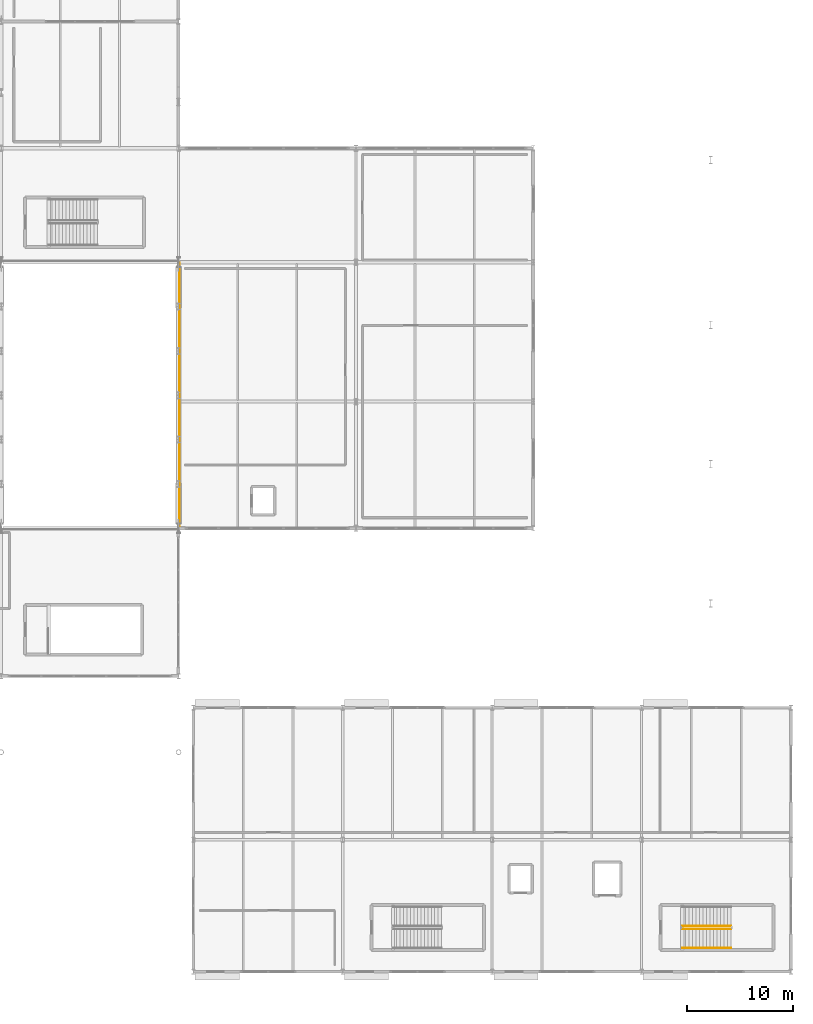
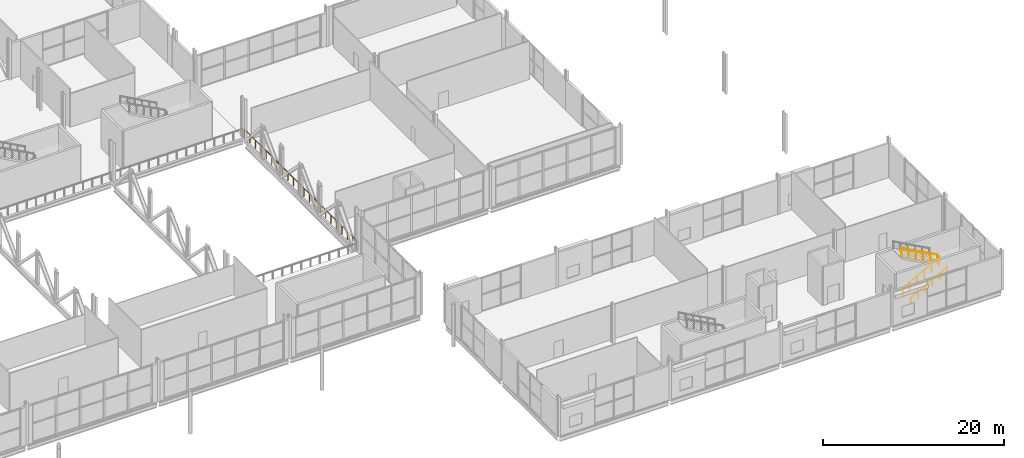
# One storey, part 81 of 84: 4 railings.
"""IFC4 building model written with IfcOpenShell, lengths in metres."""

import ifcopenshell
import ifcopenshell.guid

model = None  # the IFC model being written
_history = None  # IfcOwnerHistory: only IFC2X3 demands one
_inside = {}  # id of a spatial element -> (the spatial element, [elements in it])
_under = {}  # id of a project, library or spatial element -> (it, [spatial elements below it])
_declared = {}  # id of a project -> (the project, [libraries it declares])
_typed = {}  # id of a type object -> (the type object, [elements of that type])
_made_of = {}  # id of a material, layer set ... -> (it, [elements and type objects made of it])


def new_model(schema):
    """Start an empty IFC model of exactly this schema.

    Asked for "IFC4X3", IfcOpenShell would pick the latest addendum, in which some entities
    have other attributes; the version numbers below select the first issue.
    IFC2X3 requires an IfcOwnerHistory on every rooted entity: one is made here for all.
    """
    global model, _history
    if schema == "IFC4X3":
        model = ifcopenshell.file(schema_version=(4, 3, 0, 0))
    else:
        model = ifcopenshell.file(schema=schema)
    _inside.clear()
    _under.clear()
    _declared.clear()
    _typed.clear()
    _made_of.clear()
    _history = None
    if model.schema == "IFC2X3":
        org = make("IfcOrganization", Name="unknown")
        user = make(
            "IfcPersonAndOrganization",
            ThePerson=make("IfcPerson", FamilyName="unknown"),
            TheOrganization=org,
        )
        app = make(
            "IfcApplication",
            ApplicationDeveloper=org,
            Version="unknown",
            ApplicationFullName="unknown",
            ApplicationIdentifier="unknown",
        )
        _history = make(
            "IfcOwnerHistory",
            OwningUser=user,
            OwningApplication=app,
            ChangeAction="ADDED",
            CreationDate=0,
        )
    return model


def make(cls, **values):
    """One entity of the class cls with the attributes given. An attribute that is None is left unset."""
    return model.create_entity(
        cls, **{name: value for name, value in values.items() if value is not None}
    )


def rooted(cls, **values):
    """An entity with a GlobalId (a new one), such as an element, a storey or a relation."""
    return make(cls, GlobalId=ifcopenshell.guid.new(), OwnerHistory=_history, **values)


def si_unit(unit_type, name, prefix=None):
    """IfcSIUnit, for example si_unit("LENGTHUNIT", "METRE", prefix="MILLI")."""
    return make("IfcSIUnit", UnitType=unit_type, Prefix=prefix, Name=name)


def assignment(units):
    """IfcUnitAssignment: the units of a project."""
    return None if units is None else make("IfcUnitAssignment", Units=units)


def point(xyz):
    """IfcCartesianPoint."""
    return None if xyz is None else make("IfcCartesianPoint", Coordinates=xyz)


def direction(xyz):
    """IfcDirection."""
    return None if xyz is None else make("IfcDirection", DirectionRatios=xyz)


def frame(location, z_axis=None, x_axis=None):
    """IfcAxis2Placement3D, a coordinate frame: its origin and axes. An axis left out is left unset."""
    return make(
        "IfcAxis2Placement3D",
        Location=point(location),
        Axis=direction(z_axis),
        RefDirection=direction(x_axis),
    )


def frame_2d(location, x_axis=None):
    """IfcAxis2Placement2D, a coordinate frame in the plane: its origin and x axis."""
    return make(
        "IfcAxis2Placement2D", Location=point(location), RefDirection=direction(x_axis)
    )


def origin():
    """The frame at (0, 0, 0) with its axes left unset."""
    return frame((0.0, 0.0, 0.0))


def origin_2d():
    """The frame at (0, 0) in the plane with its x axis left unset."""
    return frame_2d((0.0, 0.0))


def place(relative_to, where):
    """IfcLocalPlacement: puts the frame where relative to a parent placement (None: the world)."""
    return make(
        "IfcLocalPlacement", PlacementRelTo=relative_to, RelativePlacement=where
    )


def context(
    kind, dimensions, precision=None, world=None, true_north=None, identifier=None
):
    """IfcGeometricRepresentationContext, for example the 3D "Model" context."""
    return make(
        "IfcGeometricRepresentationContext",
        ContextIdentifier=identifier,
        ContextType=kind,
        CoordinateSpaceDimension=dimensions,
        Precision=precision,
        WorldCoordinateSystem=world,
        TrueNorth=true_north,
    )


def subcontext(parent, identifier, kind, view, scale=None):
    """IfcGeometricRepresentationSubContext, for example "Body" below "Model"."""
    return make(
        "IfcGeometricRepresentationSubContext",
        ContextIdentifier=identifier,
        ContextType=kind,
        ParentContext=parent,
        TargetScale=scale,
        TargetView=view,
    )


def project(units=None, contexts=None):
    """IfcProject with its units and contexts."""
    return rooted(
        "IfcProject",
        Name="project",
        RepresentationContexts=contexts,
        UnitsInContext=assignment(units),
    )


def spatial(cls, under=None, at=None, **own):
    """A site, building, storey or space (cls), placed at a placement, below another one or the project."""
    s = rooted(cls, ObjectPlacement=at, **own)
    if under is not None:
        _under.setdefault(under.id(), (under, []))[1].append(s)
    return s


def profile(cls, at=None, kind="AREA", **sizes):
    """A parametric profile (cls). Its sizes go by their IFC names, for example OverallWidth=200.0."""
    return make(cls, ProfileType=kind, Position=at, **sizes)


def circle(**sizes):
    """IfcCircleProfileDef."""
    return profile("IfcCircleProfileDef", **sizes)


def extrude(swept, where, along, depth):
    """IfcExtrudedAreaSolid: the profile swept, set in the frame where, extruded along a direction by depth."""
    return make(
        "IfcExtrudedAreaSolid",
        SweptArea=swept,
        Position=where,
        ExtrudedDirection=direction(along),
        Depth=depth,
    )


def shape(context_of_items, identifier, shape_type, items):
    """IfcShapeRepresentation: the items that make up one representation, for example the "Body"."""
    return make(
        "IfcShapeRepresentation",
        ContextOfItems=context_of_items,
        RepresentationIdentifier=identifier,
        RepresentationType=shape_type,
        Items=items,
    )


def material(Name=None, Category=None):
    """IfcMaterial."""
    return make("IfcMaterial", Name=Name, Category=Category)


def made_of(thing, what):
    """Note that an element or type object is made of a material, layer set ...; save() writes the relation."""
    if what is not None:
        _made_of.setdefault(what.id(), (what, []))[1].append(thing)
    return thing


def type_object(cls, material=None, **own):
    """A type object (cls), such as IfcWallType, which elements share."""
    return made_of(rooted(cls, **own), material)


def element(
    cls,
    number,
    at=None,
    inside=None,
    cuts=None,
    type_object=None,
    material=None,
    context=None,
    identifier="Body",
    shape_type=None,
    held_by="IfcProductDefinitionShape",
    body=None,
    shapes=None,
    **own,
):
    """One element of the class cls, such as IfcWall. Its Tag is "e" and its number.

    at: its placement. inside: the storey or other place that contains it. cuts: it is an
    opening in that element (IfcRelVoidsElement). A single representation is given by context,
    identifier, shape_type and body (its items); several are given by shapes. held_by: the class
    of the entity that holds the representations. save() writes the other relations.
    """
    e = rooted(cls, Tag="e%d" % number, ObjectPlacement=at, **own)
    if body is not None:
        shapes = [shape(context, identifier, shape_type, body)]
    if shapes is not None:
        e.Representation = make(held_by, Representations=shapes)
    if inside is not None:
        _inside.setdefault(inside.id(), (inside, []))[1].append(e)
    if cuts is not None:
        rooted(
            "IfcRelVoidsElement", RelatingBuildingElement=cuts, RelatedOpeningElement=e
        )
    if type_object is not None:
        _typed.setdefault(type_object.id(), (type_object, []))[1].append(e)
    return made_of(e, material)


def aggregate(whole, parts):
    """IfcRelAggregates: a whole, such as a stair, and the parts it consists of."""
    return rooted("IfcRelAggregates", RelatingObject=whole, RelatedObjects=parts)


def save(model, path):
    """Write the relations noted so far, then the file.

    IfcRelAggregates (storeys below a building ...), IfcRelContainedInSpatialStructure (elements
    in a storey), IfcRelDefinesByType, IfcRelAssociatesMaterial and IfcRelDeclares: one each for
    every whole, place, type object, material and project.
    """
    for whole, parts in _under.values():
        aggregate(whole, parts)
    for where, things in _inside.values():
        rooted(
            "IfcRelContainedInSpatialStructure",
            RelatedElements=things,
            RelatingStructure=where,
        )
    for kind, things in _typed.values():
        rooted("IfcRelDefinesByType", RelatedObjects=things, RelatingType=kind)
    for what, things in _made_of.values():
        rooted("IfcRelAssociatesMaterial", RelatedObjects=things, RelatingMaterial=what)
    for by, libraries in _declared.values():
        rooted("IfcRelDeclares", RelatingContext=by, RelatedDefinitions=libraries)
    model.write(path)


model = new_model("IFC4")

# Units and contexts
model_context = context("Model", 3, precision=1e-05, world=origin(), true_north=direction((0.0, 1.0)))
body_context = subcontext(model_context, "Body", "Model", "MODEL_VIEW")
ifc_project = project(units=[si_unit("LENGTHUNIT", "METRE"), si_unit("AREAUNIT", "SQUARE_METRE"), si_unit("VOLUMEUNIT", "CUBIC_METRE"), si_unit("PLANEANGLEUNIT", "RADIAN"), si_unit("MASSUNIT", "GRAM", prefix="KILO")], contexts=[model_context])

# Site, building, storey
site_placement = place(None, origin())
site = spatial("IfcSite", under=ifc_project, at=site_placement, CompositionType="ELEMENT")
building_placement = place(site_placement, origin())
building = spatial("IfcBuilding", under=site, at=building_placement, Name="Kimbaza Rail Terminus", CompositionType="ELEMENT")
storey_placement = place(building_placement, frame((0.0, 0.0, 5.39990234375)))
storey = spatial("IfcBuildingStorey", under=building, at=storey_placement, Name="L01", CompositionType="ELEMENT", Elevation=5.39990234375)

# Railings
ifc_material_1 = material(Name="Stainless steel atrium balustrade", Category="steel")
railing_type_1 = type_object("IfcRailingType", Name="ARC-RL-GRDI12", PredefinedType="GUARDRAIL", material=ifc_material_1)
railing_1_placement = place(storey_placement, frame((156.10009765625, 55.050048828125, 0.0)))
element("IfcRailing", 1, at=railing_1_placement, inside=storey, type_object=railing_type_1, Name="Safety Balustrade GRD-ATR-E", PredefinedType="GUARDRAIL", context=body_context, shape_type="SweptSolid", body=[
    extrude(circle(Radius=0.02392578125, at=origin_2d()), frame((0.0, 0.0, 1.10595703125), z_axis=(0.0, 1.0, 0.0), x_axis=(-1.0, 0.0, 0.0)), (0.0, 0.0, 1.0), 25.099853515625),
    extrude(circle(Radius=0.02099609375, at=origin_2d()), origin(), (0.0, 0.0, 1.0), 1.081787109375),
    extrude(circle(Radius=0.02099609375, at=origin_2d()), frame((0.0, 1.1953125, 0.0)), (0.0, 0.0, 1.0), 1.081787109375),
    extrude(circle(Radius=0.02099609375, at=origin_2d()), frame((0.0, 2.390380859375, 0.0)), (0.0, 0.0, 1.0), 1.081787109375),
    extrude(circle(Radius=0.02099609375, at=origin_2d()), frame((0.0, 3.585693359375, 0.0)), (0.0, 0.0, 1.0), 1.081787109375),
    extrude(circle(Radius=0.02099609375, at=origin_2d()), frame((0.0, 4.781005859375, 0.0)), (0.0, 0.0, 1.0), 1.081787109375),
    extrude(circle(Radius=0.02099609375, at=origin_2d()), frame((0.0, 5.97607421875, 0.0)), (0.0, 0.0, 1.0), 1.081787109375),
    extrude(circle(Radius=0.02099609375, at=origin_2d()), frame((0.0, 7.17138671875, 0.0)), (0.0, 0.0, 1.0), 1.081787109375),
    extrude(circle(Radius=0.02099609375, at=origin_2d()), frame((0.0, 8.36669921875, 0.0)), (0.0, 0.0, 1.0), 1.081787109375),
    extrude(circle(Radius=0.02099609375, at=origin_2d()), frame((0.0, 9.561767578125, 0.0)), (0.0, 0.0, 1.0), 1.081787109375),
    extrude(circle(Radius=0.02099609375, at=origin_2d()), frame((0.0, 10.757080078125, 0.0)), (0.0, 0.0, 1.0), 1.081787109375),
    extrude(circle(Radius=0.02099609375, at=origin_2d()), frame((0.0, 11.952392578125, 0.0)), (0.0, 0.0, 1.0), 1.081787109375),
    extrude(circle(Radius=0.02099609375, at=origin_2d()), frame((0.0, 13.1474609375, 0.0)), (0.0, 0.0, 1.0), 1.081787109375),
    extrude(circle(Radius=0.02099609375, at=origin_2d()), frame((0.0, 14.3427734375, 0.0)), (0.0, 0.0, 1.0), 1.081787109375),
    extrude(circle(Radius=0.02099609375, at=origin_2d()), frame((0.0, 15.5380859375, 0.0)), (0.0, 0.0, 1.0), 1.081787109375),
    extrude(circle(Radius=0.02099609375, at=origin_2d()), frame((0.0, 16.733154296875, 0.0)), (0.0, 0.0, 1.0), 1.081787109375),
    extrude(circle(Radius=0.02099609375, at=origin_2d()), frame((0.0, 17.928466796875, 0.0)), (0.0, 0.0, 1.0), 1.081787109375),
    extrude(circle(Radius=0.02099609375, at=origin_2d()), frame((0.0, 19.123779296875, 0.0)), (0.0, 0.0, 1.0), 1.081787109375),
    extrude(circle(Radius=0.02099609375, at=origin_2d()), frame((0.0, 20.31884765625, 0.0)), (0.0, 0.0, 1.0), 1.081787109375),
    extrude(circle(Radius=0.02099609375, at=origin_2d()), frame((0.0, 21.51416015625, 0.0)), (0.0, 0.0, 1.0), 1.081787109375),
    extrude(circle(Radius=0.02099609375, at=origin_2d()), frame((0.0, 22.70947265625, 0.0)), (0.0, 0.0, 1.0), 1.081787109375),
    extrude(circle(Radius=0.02099609375, at=origin_2d()), frame((0.0, 23.904541015625, 0.0)), (0.0, 0.0, 1.0), 1.081787109375),
    extrude(circle(Radius=0.02099609375, at=origin_2d()), frame((0.0, 25.099853515625, 0.0)), (0.0, 0.0, 1.0), 1.081787109375),
])
ifc_material_2 = material(Name="Brushed stainless steel handrail", Category="steel")
railing_type_2 = type_object("IfcRailingType", Name="ARC-RL-HND92", PredefinedType="HANDRAIL", material=ifc_material_2)
railing_2_placement = place(storey_placement, frame((203.699951171875, 15.25, 0.18017578125)))
element("IfcRailing", 2, at=railing_2_placement, inside=storey, type_object=railing_type_2, Name="L01 ST-P2 stair handrail 1", PredefinedType="HANDRAIL", context=body_context, shape_type="SweptSolid", body=[
    extrude(circle(Radius=0.02392578125, at=origin_2d()), frame((0.0, 0.0, 0.8759765625), z_axis=(0.877899118682, 0.0, 0.478845630049), x_axis=(0.0, 1.0, 0.0)), (0.0, 0.0, 1.0), 5.2626953125),
    extrude(circle(Radius=0.02099609375, at=origin_2d()), origin(), (0.0, 0.0, 1.0), 0.851806640625),
    extrude(circle(Radius=0.02099609375, at=origin_2d()), frame((0.924072265625, 0.0, 0.50390625)), (0.0, 0.0, 1.0), 0.851806640625),
    extrude(circle(Radius=0.02099609375, at=origin_2d()), frame((1.84814453125, 0.0, 1.008056640625)), (0.0, 0.0, 1.0), 0.851806640625),
    extrude(circle(Radius=0.02099609375, at=origin_2d()), frame((2.77197265625, 0.0, 1.511962890625)), (0.0, 0.0, 1.0), 0.851806640625),
    extrude(circle(Radius=0.02099609375, at=origin_2d()), frame((3.696044921875, 0.0, 2.01611328125)), (0.0, 0.0, 1.0), 0.851806640625),
    extrude(circle(Radius=0.02099609375, at=origin_2d()), frame((4.6201171875, 0.0, 2.52001953125)), (0.0, 0.0, 1.0), 0.851806640625),
])
ifc_material_3 = material(Name="Painted tubular steel stair well guard", Category="steel")
railing_type_3 = type_object("IfcRailingType", Name="ARC-RL-STGRD", PredefinedType="GUARDRAIL", material=ifc_material_3)
railing_3_placement = place(storey_placement, frame((203.699951171875, 17.050048828125, 0.18017578125)))
element("IfcRailing", 3, at=railing_3_placement, inside=storey, type_object=railing_type_3, Name="L01 ST-P2 stair guard 1", PredefinedType="GUARDRAIL", context=body_context, shape_type="SweptSolid", body=[
    extrude(circle(Radius=0.02392578125, at=origin_2d()), frame((0.0, 0.0, 1.09619140625), z_axis=(0.877899118682, 0.0, 0.478845630049), x_axis=(0.0, 1.0, 0.0)), (0.0, 0.0, 1.0), 5.2626953125),
    extrude(circle(Radius=0.02099609375, at=origin_2d()), origin(), (0.0, 0.0, 1.0), 1.072021484375),
    extrude(circle(Radius=0.02099609375, at=origin_2d()), frame((0.924072265625, 0.0, 0.50390625)), (0.0, 0.0, 1.0), 1.072021484375),
    extrude(circle(Radius=0.02099609375, at=origin_2d()), frame((1.84814453125, 0.0, 1.008056640625)), (0.0, 0.0, 1.0), 1.072021484375),
    extrude(circle(Radius=0.02099609375, at=origin_2d()), frame((2.77197265625, 0.0, 1.511962890625)), (0.0, 0.0, 1.0), 1.072021484375),
    extrude(circle(Radius=0.02099609375, at=origin_2d()), frame((3.696044921875, 0.0, 2.01611328125)), (0.0, 0.0, 1.0), 1.072021484375),
    extrude(circle(Radius=0.02099609375, at=origin_2d()), frame((4.6201171875, 0.0, 2.52001953125)), (0.0, 0.0, 1.0), 1.072021484375),
])
railing_4_placement = place(storey_placement, frame((208.320068359375, 17.35009765625, 2.880126953125)))
element("IfcRailing", 4, at=railing_4_placement, inside=storey, type_object=railing_type_3, Name="L01 ST-P2 stair guard 3", PredefinedType="GUARDRAIL", context=body_context, shape_type="SweptSolid", body=[
    extrude(circle(Radius=0.02392578125, at=origin_2d()), frame((0.0, 0.0, 1.09619140625), z_axis=(-0.877899118682, 0.0, 0.478845630049), x_axis=(0.0, -1.0, 0.0)), (0.0, 0.0, 1.0), 5.2626953125),
    extrude(circle(Radius=0.02099609375, at=origin_2d()), origin(), (0.0, 0.0, 1.0), 1.072021484375),
    extrude(circle(Radius=0.02099609375, at=origin_2d()), frame((-0.924072265625, 0.0, 0.50390625)), (0.0, 0.0, 1.0), 1.072021484375),
    extrude(circle(Radius=0.02099609375, at=origin_2d()), frame((-1.84814453125, 0.0, 1.008056640625)), (0.0, 0.0, 1.0), 1.072021484375),
    extrude(circle(Radius=0.02099609375, at=origin_2d()), frame((-2.77197265625, 0.0, 1.511962890625)), (0.0, 0.0, 1.0), 1.072021484375),
    extrude(circle(Radius=0.02099609375, at=origin_2d()), frame((-3.696044921875, 0.0, 2.01611328125)), (0.0, 0.0, 1.0), 1.072021484375),
    extrude(circle(Radius=0.02099609375, at=origin_2d()), frame((-4.6201171875, 0.0, 2.52001953125)), (0.0, 0.0, 1.0), 1.072021484375),
])

save(model, "model.ifc")
